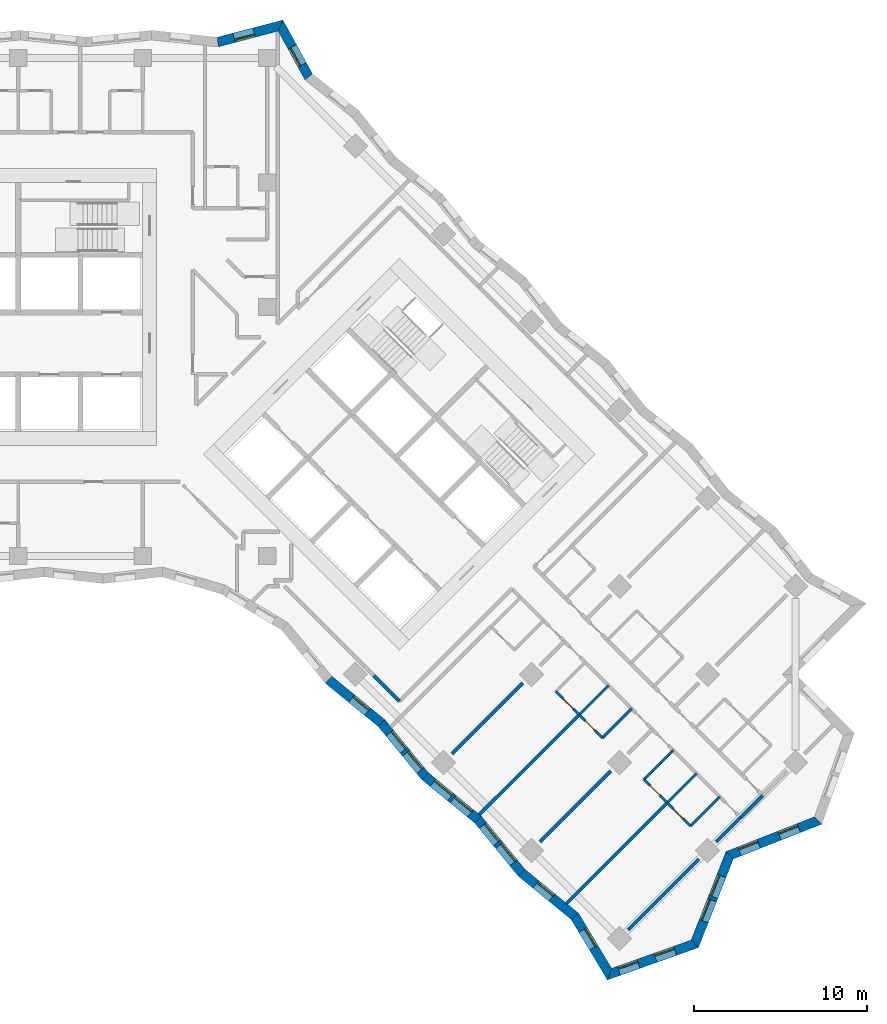
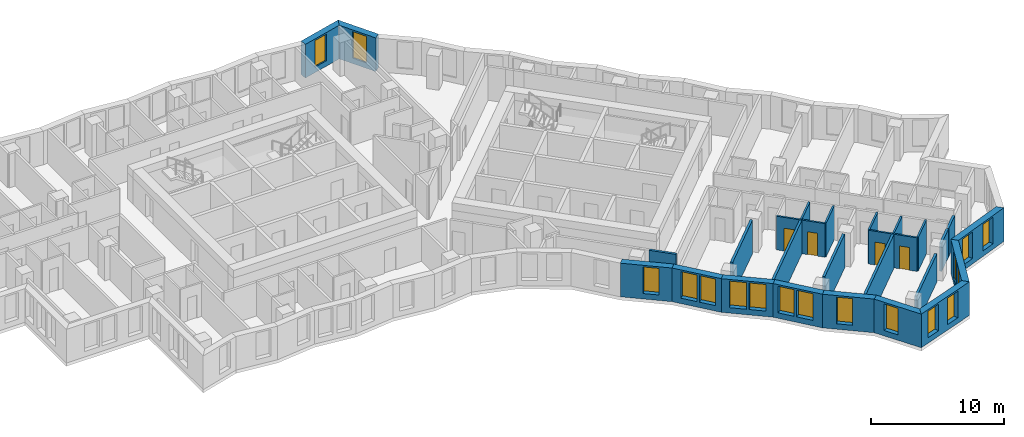
# One storey, part 8 of 13: 28 walls, 17 windows, 4 doors, 21 openings.
"""IFC4 building model written with IfcOpenShell, lengths in metres."""

from ifc_helpers import new_model, si_unit, direction, frame, frame_2d, origin, place, context, subcontext, project, spatial, polyline, rectangle, outline, extrude, material, layer, layer_set, type_object, element, fill, save


model = new_model("IFC4")

# Units and contexts
model_context = context("Model", 3, precision=1e-05, world=origin(), true_north=direction((0.0, 1.0)))
body_context = subcontext(model_context, "Body", "Model", "MODEL_VIEW")
ifc_project = project(units=[si_unit("LENGTHUNIT", "METRE"), si_unit("AREAUNIT", "SQUARE_METRE"), si_unit("VOLUMEUNIT", "CUBIC_METRE"), si_unit("PLANEANGLEUNIT", "RADIAN"), si_unit("MASSUNIT", "GRAM", prefix="KILO")], contexts=[model_context])

# Site, building, storey
site_placement = place(None, origin())
site = spatial("IfcSite", under=ifc_project, at=site_placement, CompositionType="ELEMENT")
building_placement = place(site_placement, origin())
building = spatial("IfcBuilding", under=site, at=building_placement, Name="Windrow Commons", CompositionType="ELEMENT")
storey_placement = place(building_placement, frame((0.0, 0.0, 91.4)))
storey = spatial("IfcBuildingStorey", under=building, at=storey_placement, Name="L24", CompositionType="ELEMENT", Elevation=91.4)

# Wall, openings, windows
ifc_material_1 = material(Name="Brick masonry, red clay brick", Category="masonry")
ifc_layer_1 = layer(ifc_material_1, 0.55)
ifc_layer_set_1 = layer_set([ifc_layer_1], Name="Brick facade wall 550")
wall_type_1 = type_object("IfcWallType", Name="Brick facade wall 550", PredefinedType="SOLIDWALL", material=ifc_layer_set_1)
wall_1_placement = place(storey_placement, frame((98.9842, 19.0252, 0.0), z_axis=(0.0, 0.0, 1.0), x_axis=(0.9422341041, 0.3349550613, 0.0)))
wall_1 = element("IfcWall", 1, at=wall_1_placement, inside=storey, type_object=wall_type_1, Name="Brick facade wall L24 1", PredefinedType="SOLIDWALL", context=body_context, shape_type="SweptSolid", body=[
    extrude(outline(polyline([(-0.2254, -0.275), (5.3639, -0.275), (5.1133, 0.275), (0.2254, 0.275), (-0.2254, -0.275)])), origin(), (0.0, 0.0, 1.0), 3.1),
])
opening_1_placement = place(wall_1_placement, frame((0.5763, 0.0, 0.5)))
opening_1 = element("IfcOpeningElement", 2, at=opening_1_placement, cuts=wall_1, Name="Opening W7D", PredefinedType="OPENING", context=body_context, shape_type="SweptSolid", body=[
    extrude(rectangle(XDim=1.2, YDim=2.45, at=frame_2d((0.6, 1.225))), frame((0.0, 0.285, 0.0), z_axis=(0.0, -1.0, 0.0), x_axis=(1.0, 0.0, 0.0)), (0.0, 0.0, 1.0), 0.57),
])
opening_2_placement = place(wall_1_placement, frame((2.8202, 0.0, 0.5)))
opening_2 = element("IfcOpeningElement", 3, at=opening_2_placement, cuts=wall_1, Name="Opening W7D", PredefinedType="OPENING", context=body_context, shape_type="SweptSolid", body=[
    extrude(rectangle(XDim=1.2, YDim=2.45, at=frame_2d((0.6, 1.225))), frame((0.0, 0.285, 0.0), z_axis=(0.0, -1.0, 0.0), x_axis=(1.0, 0.0, 0.0)), (0.0, 0.0, 1.0), 0.57),
])
ifc_material_2 = material(Name="Clear float glass in anodised aluminium frame", Category="aluminium")
window_type_1 = type_object("IfcWindowType", Name="Window W7 notch 1200x2450", PartitioningType="SINGLE_PANEL", PredefinedType="WINDOW", material=ifc_material_2)
window_1_placement = place(opening_1_placement, origin())
window_1 = element("IfcWindow", 4, at=window_1_placement, inside=storey, type_object=window_type_1, Name="Window L24 1.1", OverallHeight=2.45, OverallWidth=1.2, PartitioningType="SINGLE_PANEL", PredefinedType="WINDOW", context=body_context, shape_type="SweptSolid", body=[
    extrude(rectangle(XDim=1.2, YDim=2.45, at=frame_2d((0.6, 1.225))), frame((0.0, 0.155, 0.0), z_axis=(0.0, -1.0, 0.0), x_axis=(1.0, 0.0, 0.0)), (0.0, 0.0, 1.0), 0.06),
])
fill(opening_1, window_1)
window_2_placement = place(opening_2_placement, origin())
window_2 = element("IfcWindow", 5, at=window_2_placement, inside=storey, type_object=window_type_1, Name="Window L24 1.2", OverallHeight=2.45, OverallWidth=1.2, PartitioningType="SINGLE_PANEL", PredefinedType="WINDOW", context=body_context, shape_type="SweptSolid", body=[
    extrude(rectangle(XDim=1.2, YDim=2.45, at=frame_2d((0.6, 1.225))), frame((0.0, 0.155, 0.0), z_axis=(0.0, -1.0, 0.0), x_axis=(1.0, 0.0, 0.0)), (0.0, 0.0, 1.0), 0.06),
])
fill(opening_2, window_2)

wall_2_placement = place(storey_placement, frame((103.9202, 20.7799, 0.0), z_axis=(0.0, 0.0, 1.0), x_axis=(0.3656855561, 0.9307384563, 0.0)))
wall_2 = element("IfcWall", 6, at=wall_2_placement, inside=storey, type_object=wall_type_1, Name="Brick facade wall L24 2", PredefinedType="SOLIDWALL", context=body_context, shape_type="SweptSolid", body=[
    extrude(outline(polyline([(-0.1253, -0.275), (5.3811, -0.275), (5.6208, 0.275), (0.1253, 0.275), (-0.1253, -0.275)])), origin(), (0.0, 0.0, 1.0), 3.1),
])
opening_3_placement = place(wall_2_placement, frame((1.415, 0.0, 0.5)))
opening_3 = element("IfcOpeningElement", 7, at=opening_3_placement, cuts=wall_2, Name="Opening W1P", PredefinedType="OPENING", context=body_context, shape_type="SweptSolid", body=[
    extrude(rectangle(XDim=1.3, YDim=2.45, at=frame_2d((0.65, 1.225))), frame((0.0, 0.285, 0.0), z_axis=(0.0, -1.0, 0.0), x_axis=(1.0, 0.0, 0.0)), (0.0, 0.0, 1.0), 0.57),
])
opening_4_placement = place(wall_2_placement, frame((2.915, 0.0, 0.5)))
opening_4 = element("IfcOpeningElement", 8, at=opening_4_placement, cuts=wall_2, Name="Opening W1P", PredefinedType="OPENING", context=body_context, shape_type="SweptSolid", body=[
    extrude(rectangle(XDim=1.3, YDim=2.45, at=frame_2d((0.65, 1.225))), frame((0.0, 0.285, 0.0), z_axis=(0.0, -1.0, 0.0), x_axis=(1.0, 0.0, 0.0)), (0.0, 0.0, 1.0), 0.57),
])
ifc_material_3 = material(Name="Clear float glass in anodised aluminium frame", Category="aluminium")
window_type_2 = type_object("IfcWindowType", Name="Window W1P pair 1300x2450", PartitioningType="SINGLE_PANEL", PredefinedType="WINDOW", material=ifc_material_3)
window_3_placement = place(opening_3_placement, origin())
window_3 = element("IfcWindow", 9, at=window_3_placement, inside=storey, type_object=window_type_2, Name="Window L24 2.1A", OverallHeight=2.45, OverallWidth=1.3, PartitioningType="SINGLE_PANEL", PredefinedType="WINDOW", context=body_context, shape_type="SweptSolid", body=[
    extrude(rectangle(XDim=1.3, YDim=2.45, at=frame_2d((0.65, 1.225))), frame((0.0, 0.155, 0.0), z_axis=(0.0, -1.0, 0.0), x_axis=(1.0, 0.0, 0.0)), (0.0, 0.0, 1.0), 0.06),
])
fill(opening_3, window_3)
window_4_placement = place(opening_4_placement, origin())
window_4 = element("IfcWindow", 10, at=window_4_placement, inside=storey, type_object=window_type_2, Name="Window L24 2.1B", OverallHeight=2.45, OverallWidth=1.3, PartitioningType="SINGLE_PANEL", PredefinedType="WINDOW", context=body_context, shape_type="SweptSolid", body=[
    extrude(rectangle(XDim=1.3, YDim=2.45, at=frame_2d((0.65, 1.225))), frame((0.0, 0.155, 0.0), z_axis=(0.0, -1.0, 0.0), x_axis=(1.0, 0.0, 0.0)), (0.0, 0.0, 1.0), 0.06),
])
fill(opening_4, window_4)

wall_3_placement = place(storey_placement, frame((105.9318, 25.8998, 0.0), z_axis=(0.0, 0.0, 1.0), x_axis=(0.9307322689, 0.3657013038, 0.0)))
wall_3 = element("IfcWall", 11, at=wall_3_placement, inside=storey, type_object=wall_type_1, Name="Brick facade wall L24 3", PredefinedType="SOLIDWALL", context=body_context, shape_type="SweptSolid", body=[
    extrude(outline(polyline([(0.1199, -0.275), (5.6262, -0.275), (5.3757, 0.275), (-0.1199, 0.275), (0.1199, -0.275)])), origin(), (0.0, 0.0, 1.0), 3.1),
])
opening_5_placement = place(wall_3_placement, frame((0.611, 0.0, 0.5)))
opening_5 = element("IfcOpeningElement", 12, at=opening_5_placement, cuts=wall_3, Name="Opening W7D", PredefinedType="OPENING", context=body_context, shape_type="SweptSolid", body=[
    extrude(rectangle(XDim=1.2, YDim=2.45, at=frame_2d((0.6, 1.225))), frame((0.0, 0.285, 0.0), z_axis=(0.0, -1.0, 0.0), x_axis=(1.0, 0.0, 0.0)), (0.0, 0.0, 1.0), 0.57),
])
opening_6_placement = place(wall_3_placement, frame((3.0989, 0.0, 0.5)))
opening_6 = element("IfcOpeningElement", 13, at=opening_6_placement, cuts=wall_3, Name="Opening W7D", PredefinedType="OPENING", context=body_context, shape_type="SweptSolid", body=[
    extrude(rectangle(XDim=1.2, YDim=2.45, at=frame_2d((0.6, 1.225))), frame((0.0, 0.285, 0.0), z_axis=(0.0, -1.0, 0.0), x_axis=(1.0, 0.0, 0.0)), (0.0, 0.0, 1.0), 0.57),
])
window_5_placement = place(opening_5_placement, origin())
window_5 = element("IfcWindow", 14, at=window_5_placement, inside=storey, type_object=window_type_1, Name="Window L24 3.1", OverallHeight=2.45, OverallWidth=1.2, PartitioningType="SINGLE_PANEL", PredefinedType="WINDOW", context=body_context, shape_type="SweptSolid", body=[
    extrude(rectangle(XDim=1.2, YDim=2.45, at=frame_2d((0.6, 1.225))), frame((0.0, 0.155, 0.0), z_axis=(0.0, -1.0, 0.0), x_axis=(1.0, 0.0, 0.0)), (0.0, 0.0, 1.0), 0.06),
])
fill(opening_5, window_5)
window_6_placement = place(opening_6_placement, origin())
window_6 = element("IfcWindow", 15, at=window_6_placement, inside=storey, type_object=window_type_1, Name="Window L24 3.2", OverallHeight=2.45, OverallWidth=1.2, PartitioningType="SINGLE_PANEL", PredefinedType="WINDOW", context=body_context, shape_type="SweptSolid", body=[
    extrude(rectangle(XDim=1.2, YDim=2.45, at=frame_2d((0.6, 1.225))), frame((0.0, 0.155, 0.0), z_axis=(0.0, -1.0, 0.0), x_axis=(1.0, 0.0, 0.0)), (0.0, 0.0, 1.0), 0.06),
])
fill(opening_6, window_6)

# Wall, opening, window
wall_4_placement = place(storey_placement, frame((81.6021, 70.8997, 0.0), z_axis=(0.0, 0.0, 1.0), x_axis=(-0.4815099031, 0.8764406501, 0.0)))
wall_4 = element("IfcWall", 16, at=wall_4_placement, inside=storey, type_object=wall_type_1, Name="Brick facade wall L24 20", PredefinedType="SOLIDWALL", context=body_context, shape_type="SweptSolid", body=[
    extrude(outline(polyline([(0.0554, -0.275), (3.6042, -0.275), (3.1756, 0.275), (-0.0554, 0.275), (0.0554, -0.275)])), origin(), (0.0, 0.0, 1.0), 3.1),
])
opening_7_placement = place(wall_4_placement, frame((0.7896, 0.0, 0.5)))
opening_7 = element("IfcOpeningElement", 17, at=opening_7_placement, cuts=wall_4, Name="Opening W7D", PredefinedType="OPENING", context=body_context, shape_type="SweptSolid", body=[
    extrude(rectangle(XDim=1.2, YDim=2.45, at=frame_2d((0.6, 1.225))), frame((0.0, 0.285, 0.0), z_axis=(0.0, -1.0, 0.0), x_axis=(1.0, 0.0, 0.0)), (0.0, 0.0, 1.0), 0.57),
])
window_7_placement = place(opening_7_placement, origin())
window_7 = element("IfcWindow", 18, at=window_7_placement, inside=storey, type_object=window_type_1, Name="Window L24 20.1", OverallHeight=2.45, OverallWidth=1.2, PartitioningType="SINGLE_PANEL", PredefinedType="WINDOW", context=body_context, shape_type="SweptSolid", body=[
    extrude(rectangle(XDim=1.2, YDim=2.45, at=frame_2d((0.6, 1.225))), frame((0.0, 0.155, 0.0), z_axis=(0.0, -1.0, 0.0), x_axis=(1.0, 0.0, 0.0)), (0.0, 0.0, 1.0), 0.06),
])
fill(opening_7, window_7)

wall_5_placement = place(storey_placement, frame((79.9698, 73.8708, 0.0), z_axis=(0.0, 0.0, 1.0), x_axis=(-0.9675281625, -0.2527632385, 0.0)))
wall_5 = element("IfcWall", 19, at=wall_5_placement, inside=storey, type_object=wall_type_1, Name="Brick facade wall L24 21", PredefinedType="SOLIDWALL", context=body_context, shape_type="SweptSolid", body=[
    extrude(outline(polyline([(-0.2143, -0.275), (3.7067, -0.275), (3.8062, 0.275), (0.2143, 0.275), (-0.2143, -0.275)])), origin(), (0.0, 0.0, 1.0), 3.1),
])
opening_8_placement = place(wall_5_placement, frame((1.576, 0.0, 0.5)))
opening_8 = element("IfcOpeningElement", 20, at=opening_8_placement, cuts=wall_5, Name="Opening W7D", PredefinedType="OPENING", context=body_context, shape_type="SweptSolid", body=[
    extrude(rectangle(XDim=1.2, YDim=2.45, at=frame_2d((0.6, 1.225))), frame((0.0, 0.285, 0.0), z_axis=(0.0, -1.0, 0.0), x_axis=(1.0, 0.0, 0.0)), (0.0, 0.0, 1.0), 0.57),
])
window_8_placement = place(opening_8_placement, origin())
window_8 = element("IfcWindow", 21, at=window_8_placement, inside=storey, type_object=window_type_1, Name="Window L24 21.1", OverallHeight=2.45, OverallWidth=1.2, PartitioningType="SINGLE_PANEL", PredefinedType="WINDOW", context=body_context, shape_type="SweptSolid", body=[
    extrude(rectangle(XDim=1.2, YDim=2.45, at=frame_2d((0.6, 1.225))), frame((0.0, 0.155, 0.0), z_axis=(0.0, -1.0, 0.0), x_axis=(1.0, 0.0, 0.0)), (0.0, 0.0, 1.0), 0.06),
])
fill(opening_8, window_8)

wall_6_placement = place(storey_placement, frame((82.7447, 36.0491, 0.0), z_axis=(0.0, 0.0, 1.0), x_axis=(0.7733872397, -0.6339338904, 0.0)))
wall_6 = element("IfcWall", 22, at=wall_6_placement, inside=storey, type_object=wall_type_1, Name="Brick facade wall L24 54", PredefinedType="SOLIDWALL", context=body_context, shape_type="SweptSolid", body=[
    extrude(outline(polyline([(-0.0273, -0.275), (3.9375, -0.275), (3.992, 0.275), (0.0273, 0.275), (-0.0273, -0.275)])), origin(), (0.0, 0.0, 1.0), 3.1),
])
opening_9_placement = place(wall_6_placement, frame((1.7207, 0.0, 0.5)))
opening_9 = element("IfcOpeningElement", 23, at=opening_9_placement, cuts=wall_6, Name="Opening W7D", PredefinedType="OPENING", context=body_context, shape_type="SweptSolid", body=[
    extrude(rectangle(XDim=1.2, YDim=2.45, at=frame_2d((0.6, 1.225))), frame((0.0, 0.285, 0.0), z_axis=(0.0, -1.0, 0.0), x_axis=(1.0, 0.0, 0.0)), (0.0, 0.0, 1.0), 0.57),
])
window_9_placement = place(opening_9_placement, origin())
window_9 = element("IfcWindow", 24, at=window_9_placement, inside=storey, type_object=window_type_1, Name="Window L24 54.1", OverallHeight=2.45, OverallWidth=1.2, PartitioningType="SINGLE_PANEL", PredefinedType="WINDOW", context=body_context, shape_type="SweptSolid", body=[
    extrude(rectangle(XDim=1.2, YDim=2.45, at=frame_2d((0.6, 1.225))), frame((0.0, 0.155, 0.0), z_axis=(0.0, -1.0, 0.0), x_axis=(1.0, 0.0, 0.0)), (0.0, 0.0, 1.0), 0.06),
])
fill(opening_9, window_9)

# Wall, openings, windows
wall_7_placement = place(storey_placement, frame((85.811, 33.5357, 0.0), z_axis=(0.0, 0.0, 1.0), x_axis=(0.6339462564, -0.7733771033, 0.0)))
wall_7 = element("IfcWall", 25, at=wall_7_placement, inside=storey, type_object=wall_type_1, Name="Brick facade wall L24 55", PredefinedType="SOLIDWALL", context=body_context, shape_type="SweptSolid", body=[
    extrude(outline(polyline([(0.0273, -0.275), (3.992, -0.275), (3.9375, 0.275), (-0.0273, 0.275), (0.0273, -0.275)])), origin(), (0.0, 0.0, 1.0), 3.1),
])
opening_10_placement = place(wall_7_placement, frame((0.7335, 0.0, 0.5)))
opening_10 = element("IfcOpeningElement", 26, at=opening_10_placement, cuts=wall_7, Name="Opening W1P", PredefinedType="OPENING", context=body_context, shape_type="SweptSolid", body=[
    extrude(rectangle(XDim=1.3, YDim=2.45, at=frame_2d((0.65, 1.225))), frame((0.0, 0.285, 0.0), z_axis=(0.0, -1.0, 0.0), x_axis=(1.0, 0.0, 0.0)), (0.0, 0.0, 1.0), 0.57),
])
opening_11_placement = place(wall_7_placement, frame((2.2335, 0.0, 0.5)))
opening_11 = element("IfcOpeningElement", 27, at=opening_11_placement, cuts=wall_7, Name="Opening W1P", PredefinedType="OPENING", context=body_context, shape_type="SweptSolid", body=[
    extrude(rectangle(XDim=1.3, YDim=2.45, at=frame_2d((0.65, 1.225))), frame((0.0, 0.285, 0.0), z_axis=(0.0, -1.0, 0.0), x_axis=(1.0, 0.0, 0.0)), (0.0, 0.0, 1.0), 0.57),
])
window_10_placement = place(opening_10_placement, origin())
window_10 = element("IfcWindow", 28, at=window_10_placement, inside=storey, type_object=window_type_2, Name="Window L24 55.1A", OverallHeight=2.45, OverallWidth=1.3, PartitioningType="SINGLE_PANEL", PredefinedType="WINDOW", context=body_context, shape_type="SweptSolid", body=[
    extrude(rectangle(XDim=1.3, YDim=2.45, at=frame_2d((0.65, 1.225))), frame((0.0, 0.155, 0.0), z_axis=(0.0, -1.0, 0.0), x_axis=(1.0, 0.0, 0.0)), (0.0, 0.0, 1.0), 0.06),
])
fill(opening_10, window_10)
window_11_placement = place(opening_11_placement, origin())
window_11 = element("IfcWindow", 29, at=window_11_placement, inside=storey, type_object=window_type_2, Name="Window L24 55.1B", OverallHeight=2.45, OverallWidth=1.3, PartitioningType="SINGLE_PANEL", PredefinedType="WINDOW", context=body_context, shape_type="SweptSolid", body=[
    extrude(rectangle(XDim=1.3, YDim=2.45, at=frame_2d((0.65, 1.225))), frame((0.0, 0.155, 0.0), z_axis=(0.0, -1.0, 0.0), x_axis=(1.0, 0.0, 0.0)), (0.0, 0.0, 1.0), 0.06),
])
fill(opening_11, window_11)

wall_8_placement = place(storey_placement, frame((88.3244, 30.4695, 0.0), z_axis=(0.0, 0.0, 1.0), x_axis=(0.7733872397, -0.6339338904, 0.0)))
wall_8 = element("IfcWall", 30, at=wall_8_placement, inside=storey, type_object=wall_type_1, Name="Brick facade wall L24 56", PredefinedType="SOLIDWALL", context=body_context, shape_type="SweptSolid", body=[
    extrude(outline(polyline([(-0.0273, -0.275), (3.9375, -0.275), (3.992, 0.275), (0.0273, 0.275), (-0.0273, -0.275)])), origin(), (0.0, 0.0, 1.0), 3.1),
])
opening_12_placement = place(wall_8_placement, frame((0.596, 0.0, 0.5)))
opening_12 = element("IfcOpeningElement", 31, at=opening_12_placement, cuts=wall_8, Name="Opening W1P", PredefinedType="OPENING", context=body_context, shape_type="SweptSolid", body=[
    extrude(rectangle(XDim=1.3, YDim=2.45, at=frame_2d((0.65, 1.225))), frame((0.0, 0.285, 0.0), z_axis=(0.0, -1.0, 0.0), x_axis=(1.0, 0.0, 0.0)), (0.0, 0.0, 1.0), 0.57),
])
opening_13_placement = place(wall_8_placement, frame((2.096, 0.0, 0.5)))
opening_13 = element("IfcOpeningElement", 32, at=opening_13_placement, cuts=wall_8, Name="Opening W1P", PredefinedType="OPENING", context=body_context, shape_type="SweptSolid", body=[
    extrude(rectangle(XDim=1.3, YDim=2.45, at=frame_2d((0.65, 1.225))), frame((0.0, 0.285, 0.0), z_axis=(0.0, -1.0, 0.0), x_axis=(1.0, 0.0, 0.0)), (0.0, 0.0, 1.0), 0.57),
])
window_12_placement = place(opening_12_placement, origin())
window_12 = element("IfcWindow", 33, at=window_12_placement, inside=storey, type_object=window_type_2, Name="Window L24 56.1A", OverallHeight=2.45, OverallWidth=1.3, PartitioningType="SINGLE_PANEL", PredefinedType="WINDOW", context=body_context, shape_type="SweptSolid", body=[
    extrude(rectangle(XDim=1.3, YDim=2.45, at=frame_2d((0.65, 1.225))), frame((0.0, 0.155, 0.0), z_axis=(0.0, -1.0, 0.0), x_axis=(1.0, 0.0, 0.0)), (0.0, 0.0, 1.0), 0.06),
])
fill(opening_12, window_12)
window_13_placement = place(opening_13_placement, origin())
window_13 = element("IfcWindow", 34, at=window_13_placement, inside=storey, type_object=window_type_2, Name="Window L24 56.1B", OverallHeight=2.45, OverallWidth=1.3, PartitioningType="SINGLE_PANEL", PredefinedType="WINDOW", context=body_context, shape_type="SweptSolid", body=[
    extrude(rectangle(XDim=1.3, YDim=2.45, at=frame_2d((0.65, 1.225))), frame((0.0, 0.155, 0.0), z_axis=(0.0, -1.0, 0.0), x_axis=(1.0, 0.0, 0.0)), (0.0, 0.0, 1.0), 0.06),
])
fill(opening_13, window_13)

wall_9_placement = place(storey_placement, frame((91.3907, 27.9561, 0.0), z_axis=(0.0, 0.0, 1.0), x_axis=(0.633918804, -0.7733996056, 0.0)))
wall_9 = element("IfcWall", 35, at=wall_9_placement, inside=storey, type_object=wall_type_1, Name="Brick facade wall L24 57", PredefinedType="SOLIDWALL", context=body_context, shape_type="SweptSolid", body=[
    extrude(outline(polyline([(0.0273, -0.275), (3.992, -0.275), (3.9375, 0.275), (-0.0273, 0.275), (0.0273, -0.275)])), origin(), (0.0, 0.0, 1.0), 3.1),
])
opening_14_placement = place(wall_9_placement, frame((0.4265, 0.0, 0.5)))
opening_14 = element("IfcOpeningElement", 36, at=opening_14_placement, cuts=wall_9, Name="Opening W1P", PredefinedType="OPENING", context=body_context, shape_type="SweptSolid", body=[
    extrude(rectangle(XDim=1.3, YDim=2.45, at=frame_2d((0.65, 1.225))), frame((0.0, 0.285, 0.0), z_axis=(0.0, -1.0, 0.0), x_axis=(1.0, 0.0, 0.0)), (0.0, 0.0, 1.0), 0.57),
])
opening_15_placement = place(wall_9_placement, frame((1.9265, 0.0, 0.5)))
opening_15 = element("IfcOpeningElement", 37, at=opening_15_placement, cuts=wall_9, Name="Opening W1P", PredefinedType="OPENING", context=body_context, shape_type="SweptSolid", body=[
    extrude(rectangle(XDim=1.3, YDim=2.45, at=frame_2d((0.65, 1.225))), frame((0.0, 0.285, 0.0), z_axis=(0.0, -1.0, 0.0), x_axis=(1.0, 0.0, 0.0)), (0.0, 0.0, 1.0), 0.57),
])
window_14_placement = place(opening_14_placement, origin())
window_14 = element("IfcWindow", 38, at=window_14_placement, inside=storey, type_object=window_type_2, Name="Window L24 57.1A", OverallHeight=2.45, OverallWidth=1.3, PartitioningType="SINGLE_PANEL", PredefinedType="WINDOW", context=body_context, shape_type="SweptSolid", body=[
    extrude(rectangle(XDim=1.3, YDim=2.45, at=frame_2d((0.65, 1.225))), frame((0.0, 0.155, 0.0), z_axis=(0.0, -1.0, 0.0), x_axis=(1.0, 0.0, 0.0)), (0.0, 0.0, 1.0), 0.06),
])
fill(opening_14, window_14)
window_15_placement = place(opening_15_placement, origin())
window_15 = element("IfcWindow", 39, at=window_15_placement, inside=storey, type_object=window_type_2, Name="Window L24 57.1B", OverallHeight=2.45, OverallWidth=1.3, PartitioningType="SINGLE_PANEL", PredefinedType="WINDOW", context=body_context, shape_type="SweptSolid", body=[
    extrude(rectangle(XDim=1.3, YDim=2.45, at=frame_2d((0.65, 1.225))), frame((0.0, 0.155, 0.0), z_axis=(0.0, -1.0, 0.0), x_axis=(1.0, 0.0, 0.0)), (0.0, 0.0, 1.0), 0.06),
])
fill(opening_15, window_15)

# Wall, opening, window
wall_10_placement = place(storey_placement, frame((93.904, 24.8898, 0.0), z_axis=(0.0, 0.0, 1.0), x_axis=(0.7734013817, -0.6339166371, 0.0)))
wall_10 = element("IfcWall", 40, at=wall_10_placement, inside=storey, type_object=wall_type_1, Name="Brick facade wall L24 58", PredefinedType="SOLIDWALL", context=body_context, shape_type="SweptSolid", body=[
    extrude(outline(polyline([(-0.0273, -0.275), (3.9375, -0.275), (4.0333, 0.275), (0.0273, 0.275), (-0.0273, -0.275)])), origin(), (0.0, 0.0, 1.0), 3.1),
])
opening_16_placement = place(wall_10_placement, frame((1.0666, 0.0, 0.5)))
opening_16 = element("IfcOpeningElement", 41, at=opening_16_placement, cuts=wall_10, Name="Opening W7D", PredefinedType="OPENING", context=body_context, shape_type="SweptSolid", body=[
    extrude(rectangle(XDim=1.2, YDim=2.45, at=frame_2d((0.6, 1.225))), frame((0.0, 0.285, 0.0), z_axis=(0.0, -1.0, 0.0), x_axis=(1.0, 0.0, 0.0)), (0.0, 0.0, 1.0), 0.57),
])
window_16_placement = place(opening_16_placement, origin())
window_16 = element("IfcWindow", 42, at=window_16_placement, inside=storey, type_object=window_type_1, Name="Window L24 58.1", OverallHeight=2.45, OverallWidth=1.2, PartitioningType="SINGLE_PANEL", PredefinedType="WINDOW", context=body_context, shape_type="SweptSolid", body=[
    extrude(rectangle(XDim=1.2, YDim=2.45, at=frame_2d((0.6, 1.225))), frame((0.0, 0.155, 0.0), z_axis=(0.0, -1.0, 0.0), x_axis=(1.0, 0.0, 0.0)), (0.0, 0.0, 1.0), 0.06),
])
fill(opening_16, window_16)

wall_11_placement = place(storey_placement, frame((96.9863, 22.3634, 0.0), z_axis=(0.0, 0.0, 1.0), x_axis=(0.5135466486, -0.8580616759, 0.0)))
wall_11 = element("IfcWall", 43, at=wall_11_placement, inside=storey, type_object=wall_type_1, Name="Brick facade wall L24 59", PredefinedType="SOLIDWALL", context=body_context, shape_type="SweptSolid", body=[
    extrude(outline(polyline([(0.0479, -0.275), (4.1158, -0.275), (3.6651, 0.275), (-0.0479, 0.275), (0.0479, -0.275)])), origin(), (0.0, 0.0, 1.0), 3.1),
])
opening_17_placement = place(wall_11_placement, frame((0.9048, 0.0, 0.5)))
opening_17 = element("IfcOpeningElement", 44, at=opening_17_placement, cuts=wall_11, Name="Opening W7D", PredefinedType="OPENING", context=body_context, shape_type="SweptSolid", body=[
    extrude(rectangle(XDim=1.2, YDim=2.45, at=frame_2d((0.6, 1.225))), frame((0.0, 0.285, 0.0), z_axis=(0.0, -1.0, 0.0), x_axis=(1.0, 0.0, 0.0)), (0.0, 0.0, 1.0), 0.57),
])
window_17_placement = place(opening_17_placement, origin())
window_17 = element("IfcWindow", 45, at=window_17_placement, inside=storey, type_object=window_type_1, Name="Window L24 59.1", OverallHeight=2.45, OverallWidth=1.2, PartitioningType="SINGLE_PANEL", PredefinedType="WINDOW", context=body_context, shape_type="SweptSolid", body=[
    extrude(rectangle(XDim=1.2, YDim=2.45, at=frame_2d((0.6, 1.225))), frame((0.0, 0.155, 0.0), z_axis=(0.0, -1.0, 0.0), x_axis=(1.0, 0.0, 0.0)), (0.0, 0.0, 1.0), 0.06),
])
fill(opening_17, window_17)

# Walls
ifc_material_4 = material(Name="Blockwork partition", Category="masonry")
ifc_layer_2 = layer(ifc_material_4, 0.2)
ifc_layer_set_2 = layer_set([ifc_layer_2], Name="IW-CORRIDOR-200")
wall_type_2 = type_object("IfcWallType", Name="IW-CORRIDOR-200", PredefinedType="PARTITIONING", material=ifc_layer_set_2)
wall_12_placement = place(storey_placement, frame((85.353, 36.293, 0.0), z_axis=(0.0, 0.0, 1.0), x_axis=(0.7066304548, -0.7075827869, 0.0)))
element("IfcWall", 46, at=wall_12_placement, inside=storey, type_object=wall_type_2, Name="W-L24-W118", PredefinedType="PARTITIONING", context=body_context, shape_type="SweptSolid", body=[
    extrude(rectangle(XDim=2.1001, YDim=0.2, at=frame_2d((1.05, 0.0))), origin(), (0.0, 0.0, 1.0), 3.1),
])
wall_13_placement = place(storey_placement, frame((106.568, 28.086, 0.0), z_axis=(0.0, 0.0, 1.0), x_axis=(0.7065510983, 0.7076620277, 0.0)))
element("IfcWall", 47, at=wall_13_placement, inside=storey, type_object=wall_type_2, Name="W-L24-W150", PredefinedType="PARTITIONING", context=body_context, shape_type="SweptSolid", body=[
    extrude(rectangle(XDim=1.8003, YDim=0.2, at=frame_2d((0.9002, 0.0))), origin(), (0.0, 0.0, 1.0), 2.6),
])
ifc_material_5 = material(Name="Blockwork partition", Category="masonry")
ifc_layer_3 = layer(ifc_material_5, 0.15)
ifc_layer_set_3 = layer_set([ifc_layer_3], Name="IW-ENSUITE-150")
wall_type_3 = type_object("IfcWallType", Name="IW-ENSUITE-150", PredefinedType="PARTITIONING", material=ifc_layer_set_3)
for number, where, z_axis, x_axis, name in (
    (48, (100.9773, 30.2807, 0.0), (0.0, 0.0, 1.0), (0.7071067812, 0.7071067812, 0.0), "W-L24-W071"),
    (49, (98.5731, 32.6849, 0.0), (0.0, 0.0, 1.0), (0.7071067812, 0.7071067812, 0.0), "W-L24-W072"),
):
    element("IfcWall", number, at=place(storey_placement, frame(where, z_axis=z_axis, x_axis=x_axis)), inside=storey, type_object=wall_type_3, Name=name, PredefinedType="PARTITIONING", context=body_context, shape_type="SweptSolid", body=[
        extrude(rectangle(XDim=2.4013, YDim=0.15, at=frame_2d((1.2006, 0.0))), origin(), (0.0, 0.0, 1.0), 3.1),
    ])
wall_14_placement = place(storey_placement, frame((97.2344, 34.0256, 0.0), z_axis=(0.0, 0.0, 1.0), x_axis=(0.706689978, 0.7075233388, 0.0)))
element("IfcWall", 50, at=wall_14_placement, inside=storey, type_object=wall_type_3, Name="W-L24-W101", PredefinedType="PARTITIONING", context=body_context, shape_type="SweptSolid", body=[
    extrude(rectangle(XDim=2.3999, YDim=0.15, at=frame_2d((1.2, 0.0))), origin(), (0.0, 0.0, 1.0), 3.1),
])
for number, where, z_axis, x_axis, name in (
    (51, (102.3228, 28.9392, 0.0), (0.0, 0.0, 1.0), (0.7071067812, 0.7071067812, 0.0), "W-L24-W109"),
    (52, (103.6653, 27.5947, 0.0), (0.0, 0.0, 1.0), (0.7071067812, 0.7071067812, 0.0), "W-L24-W110"),
):
    element("IfcWall", number, at=place(storey_placement, frame(where, z_axis=z_axis, x_axis=x_axis)), inside=storey, type_object=wall_type_3, Name=name, PredefinedType="PARTITIONING", context=body_context, shape_type="SweptSolid", body=[
        extrude(rectangle(XDim=2.3985, YDim=0.15, at=frame_2d((1.1992, 0.0))), origin(), (0.0, 0.0, 1.0), 3.1),
    ])

# Wall, opening, door
wall_15_placement = place(storey_placement, frame((95.8846, 35.3686, 0.0), z_axis=(0.0, 0.0, 1.0), x_axis=(0.7071067812, -0.7071067812, 0.0)))
wall_15 = element("IfcWall", 53, at=wall_15_placement, inside=storey, type_object=wall_type_3, Name="W-L24-W134", PredefinedType="PARTITIONING", context=body_context, shape_type="SweptSolid", body=[
    extrude(rectangle(XDim=1.9007, YDim=0.15, at=frame_2d((0.9504, 0.0))), origin(), (0.0, 0.0, 1.0), 3.1),
])
opening_18_placement = place(wall_15_placement, frame((0.595, 0.0, 0.0)))
opening_18 = element("IfcOpeningElement", 54, at=opening_18_placement, cuts=wall_15, Name="Opening D208N", PredefinedType="OPENING", context=body_context, shape_type="SweptSolid", body=[
    extrude(rectangle(XDim=0.8, YDim=2.1, at=frame_2d((0.4, 1.05))), frame((0.0, 0.085, 0.0), z_axis=(0.0, -1.0, 0.0), x_axis=(1.0, 0.0, 0.0)), (0.0, 0.0, 1.0), 0.17),
])
ifc_material_6 = material(Name="Timber door leaf", Category="wood")
door_type = type_object("IfcDoorType", Name="DT-ENSUITE-800", OperationType="SINGLE_SWING_LEFT", PredefinedType="DOOR", material=ifc_material_6)
door_1_placement = place(opening_18_placement, origin())
door_1 = element("IfcDoor", 55, at=door_1_placement, inside=storey, type_object=door_type, Name="D-L24-D060", OperationType="SINGLE_SWING_RIGHT", OverallHeight=2.1, OverallWidth=0.8, PredefinedType="DOOR", context=body_context, shape_type="SweptSolid", body=[
    extrude(rectangle(XDim=0.8, YDim=2.1, at=frame_2d((0.4, 1.05))), frame((0.0, 0.025, 0.0), z_axis=(0.0, -1.0, 0.0), x_axis=(1.0, 0.0, 0.0)), (0.0, 0.0, 1.0), 0.05),
])
fill(opening_18, door_1)

wall_16_placement = place(storey_placement, frame((100.9807, 30.2827, 0.0), z_axis=(0.0, 0.0, 1.0), x_axis=(0.7076330979, -0.7065800724, 0.0)))
wall_16 = element("IfcWall", 56, at=wall_16_placement, inside=storey, type_object=wall_type_3, Name="W-L24-W144", PredefinedType="PARTITIONING", context=body_context, shape_type="SweptSolid", body=[
    extrude(rectangle(XDim=1.8993, YDim=0.15, at=frame_2d((0.9496, 0.0))), origin(), (0.0, 0.0, 1.0), 3.1),
])
opening_19_placement = place(wall_16_placement, frame((0.4932, 0.0, 0.0)))
opening_19 = element("IfcOpeningElement", 57, at=opening_19_placement, cuts=wall_16, Name="Opening D208N", PredefinedType="OPENING", context=body_context, shape_type="SweptSolid", body=[
    extrude(rectangle(XDim=0.8, YDim=2.1, at=frame_2d((0.4, 1.05))), frame((0.0, 0.085, 0.0), z_axis=(0.0, -1.0, 0.0), x_axis=(1.0, 0.0, 0.0)), (0.0, 0.0, 1.0), 0.17),
])
door_2_placement = place(opening_19_placement, origin())
door_2 = element("IfcDoor", 58, at=door_2_placement, inside=storey, type_object=door_type, Name="D-L24-D064", OperationType="SINGLE_SWING_RIGHT", OverallHeight=2.1, OverallWidth=0.8, PredefinedType="DOOR", context=body_context, shape_type="SweptSolid", body=[
    extrude(rectangle(XDim=0.8, YDim=2.1, at=frame_2d((0.4, 1.05))), frame((0.0, 0.025, 0.0), z_axis=(0.0, -1.0, 0.0), x_axis=(1.0, 0.0, 0.0)), (0.0, 0.0, 1.0), 0.05),
])
fill(opening_19, door_2)

wall_17_placement = place(storey_placement, frame((97.2334, 34.0294, 0.0), z_axis=(0.0, 0.0, 1.0), x_axis=(0.7065800724, -0.7076330979, 0.0)))
wall_17 = element("IfcWall", 59, at=wall_17_placement, inside=storey, type_object=wall_type_3, Name="W-L24-W146", PredefinedType="PARTITIONING", context=body_context, shape_type="SweptSolid", body=[
    extrude(rectangle(XDim=1.8993, YDim=0.15, at=frame_2d((0.9496, 0.0))), origin(), (0.0, 0.0, 1.0), 3.1),
])
opening_20_placement = place(wall_17_placement, frame((0.5153, 0.0, 0.0)))
opening_20 = element("IfcOpeningElement", 60, at=opening_20_placement, cuts=wall_17, Name="Opening D208N", PredefinedType="OPENING", context=body_context, shape_type="SweptSolid", body=[
    extrude(rectangle(XDim=0.8, YDim=2.1, at=frame_2d((0.4, 1.05))), frame((0.0, 0.085, 0.0), z_axis=(0.0, -1.0, 0.0), x_axis=(1.0, 0.0, 0.0)), (0.0, 0.0, 1.0), 0.17),
])
door_3_placement = place(opening_20_placement, origin())
door_3 = element("IfcDoor", 61, at=door_3_placement, inside=storey, type_object=door_type, Name="D-L24-D062", OperationType="SINGLE_SWING_RIGHT", OverallHeight=2.1, OverallWidth=0.8, PredefinedType="DOOR", context=body_context, shape_type="SweptSolid", body=[
    extrude(rectangle(XDim=0.8, YDim=2.1, at=frame_2d((0.4, 1.05))), frame((0.0, 0.025, 0.0), z_axis=(0.0, -1.0, 0.0), x_axis=(1.0, 0.0, 0.0)), (0.0, 0.0, 1.0), 0.05),
])
fill(opening_20, door_3)

wall_18_placement = place(storey_placement, frame((102.3206, 28.9346, 0.0), z_axis=(0.0, 0.0, 1.0), x_axis=(0.7065800724, -0.7076330979, 0.0)))
wall_18 = element("IfcWall", 62, at=wall_18_placement, inside=storey, type_object=wall_type_3, Name="W-L24-W148", PredefinedType="PARTITIONING", context=body_context, shape_type="SweptSolid", body=[
    extrude(rectangle(XDim=1.8993, YDim=0.15, at=frame_2d((0.9496, 0.0))), origin(), (0.0, 0.0, 1.0), 3.1),
])
opening_21_placement = place(wall_18_placement, frame((0.5015, 0.0, 0.0)))
opening_21 = element("IfcOpeningElement", 63, at=opening_21_placement, cuts=wall_18, Name="Opening D208N", PredefinedType="OPENING", context=body_context, shape_type="SweptSolid", body=[
    extrude(rectangle(XDim=0.8, YDim=2.1, at=frame_2d((0.4, 1.05))), frame((0.0, 0.085, 0.0), z_axis=(0.0, -1.0, 0.0), x_axis=(1.0, 0.0, 0.0)), (0.0, 0.0, 1.0), 0.17),
])
door_4_placement = place(opening_21_placement, origin())
door_4 = element("IfcDoor", 64, at=door_4_placement, inside=storey, type_object=door_type, Name="D-L24-D066", OperationType="SINGLE_SWING_RIGHT", OverallHeight=2.1, OverallWidth=0.8, PredefinedType="DOOR", context=body_context, shape_type="SweptSolid", body=[
    extrude(rectangle(XDim=0.8, YDim=2.1, at=frame_2d((0.4, 1.05))), frame((0.0, 0.025, 0.0), z_axis=(0.0, -1.0, 0.0), x_axis=(1.0, 0.0, 0.0)), (0.0, 0.0, 1.0), 0.05),
])
fill(opening_21, door_4)

# Walls
ifc_material_7 = material(Name="Blockwork partition", Category="masonry")
ifc_layer_4 = layer(ifc_material_7, 0.2)
ifc_layer_set_4 = layer_set([ifc_layer_4], Name="IW-PARTY-200")
wall_type_4 = type_object("IfcWallType", Name="IW-PARTY-200", PredefinedType="PARTITIONING", material=ifc_layer_set_4)
wall_19_placement = place(storey_placement, frame((96.5006, 23.1171, 0.0), z_axis=(0.0, 0.0, 1.0), x_axis=(0.7071128537, 0.7071007086, 0.0)))
element("IfcWall", 65, at=wall_19_placement, inside=storey, type_object=wall_type_4, Name="W-L24-W013", PredefinedType="PARTITIONING", context=body_context, shape_type="SweptSolid", body=[
    extrude(rectangle(XDim=8.2338, YDim=0.2, at=frame_2d((4.1169, 0.0))), origin(), (0.0, 0.0, 1.0), 3.1),
])
wall_20_placement = place(storey_placement, frame((91.4616, 28.2536, 0.0), z_axis=(0.0, 0.0, 1.0), x_axis=(0.7072292685, 0.7069842727, 0.0)))
element("IfcWall", 66, at=wall_20_placement, inside=storey, type_object=wall_type_4, Name="W-L24-W016", PredefinedType="PARTITIONING", context=body_context, shape_type="SweptSolid", body=[
    extrude(rectangle(XDim=8.1634, YDim=0.2, at=frame_2d((4.0817, 0.0))), origin(), (0.0, 0.0, 1.0), 3.1),
])
wall_21_placement = place(storey_placement, frame((100.0624, 21.5876, 0.0), z_axis=(0.0, 0.0, 1.0), x_axis=(0.7071067812, 0.7071067812, 0.0)))
element("IfcWall", 67, at=wall_21_placement, inside=storey, type_object=wall_type_4, Name="W-L24-W036", PredefinedType="PARTITIONING", context=body_context, shape_type="SweptSolid", body=[
    extrude(rectangle(XDim=5.7898, YDim=0.2, at=frame_2d((2.8949, 0.0))), origin(), (0.0, 0.0, 1.0), 2.6),
])
wall_22_placement = place(storey_placement, frame((89.881, 31.771, 0.0), z_axis=(0.0, 0.0, 1.0), x_axis=(0.7071067812, 0.7071067812, 0.0)))
element("IfcWall", 68, at=wall_22_placement, inside=storey, type_object=wall_type_4, Name="W-L24-W037", PredefinedType="PARTITIONING", context=body_context, shape_type="SweptSolid", body=[
    extrude(rectangle(XDim=5.787, YDim=0.2, at=frame_2d((2.8935, 0.0))), origin(), (0.0, 0.0, 1.0), 3.1),
])
wall_23_placement = place(storey_placement, frame((94.9732, 26.6808, 0.0), z_axis=(0.0, 0.0, 1.0), x_axis=(0.7071067812, 0.7071067812, 0.0)))
element("IfcWall", 69, at=wall_23_placement, inside=storey, type_object=wall_type_4, Name="W-L24-W040", PredefinedType="PARTITIONING", context=body_context, shape_type="SweptSolid", body=[
    extrude(rectangle(XDim=5.7841, YDim=0.2, at=frame_2d((2.892, 0.0))), origin(), (0.0, 0.0, 1.0), 3.1),
])
wall_24_placement = place(storey_placement, frame((105.1544, 26.6796, 0.0), z_axis=(0.0, 0.0, 1.0), x_axis=(0.7071067812, 0.7071067812, 0.0)))
element("IfcWall", 70, at=wall_24_placement, inside=storey, type_object=wall_type_4, Name="W-L24-W127", PredefinedType="PARTITIONING", context=body_context, shape_type="SweptSolid", body=[
    extrude(rectangle(XDim=1.994, YDim=0.2, at=frame_2d((0.997, 0.0))), origin(), (0.0, 0.0, 1.0), 2.6),
])

save(model, "model.ifc")
